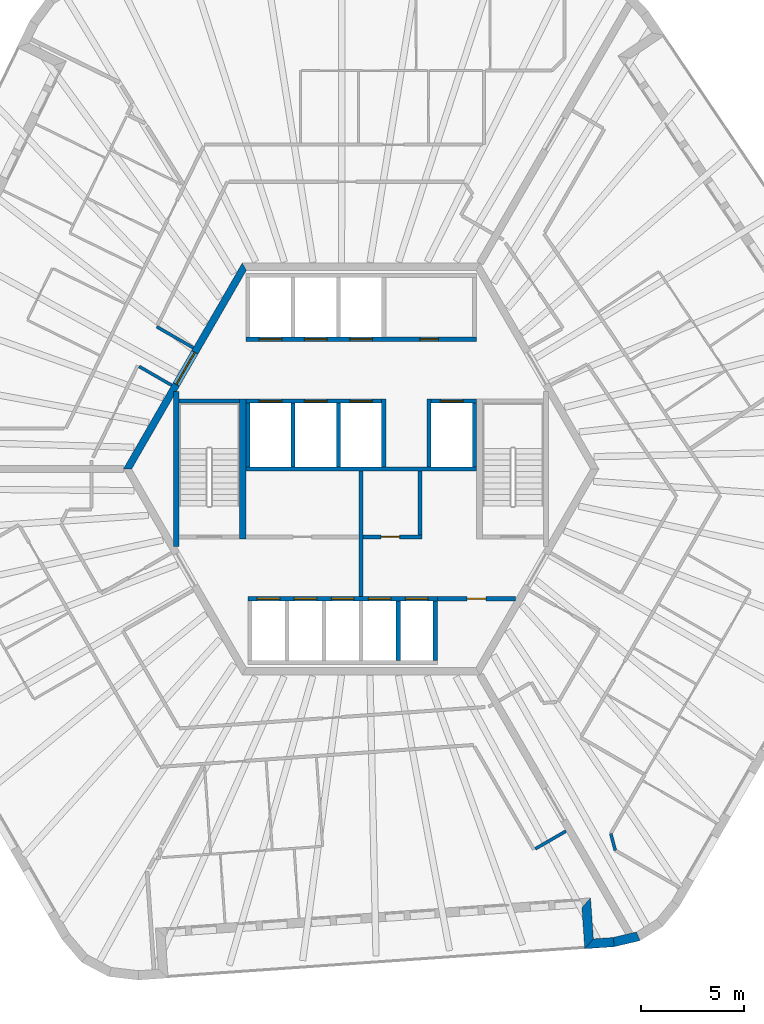
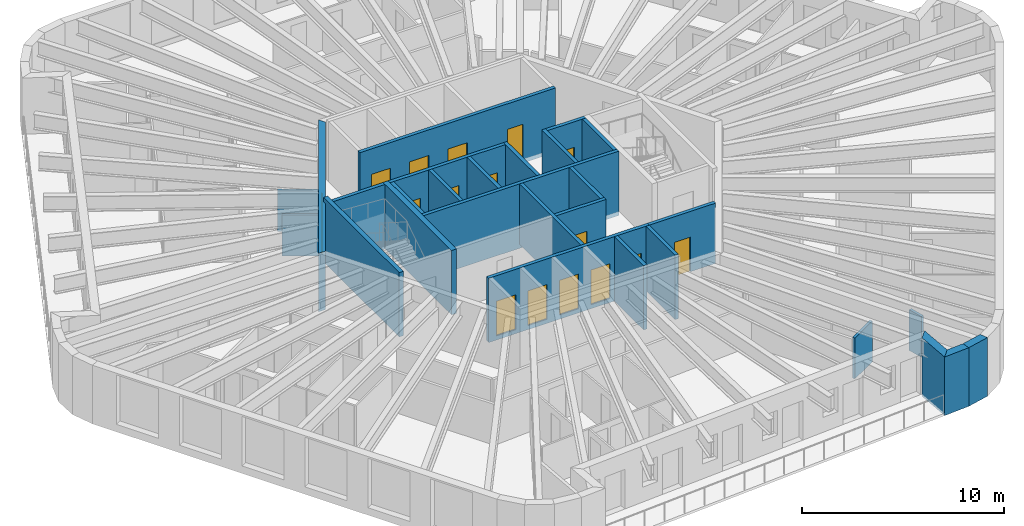
# One storey, part 5 of 11: 28 walls, 16 doors, 16 openings.
"""IFC4 building model written with IfcOpenShell, lengths in metres."""

from ifc_helpers import new_model, si_unit, direction, frame, frame_2d, origin, place, context, subcontext, project, spatial, polyline, rectangle, outline, extrude, material, layer, layer_set, type_object, element, fill, save


model = new_model("IFC4")

# Units and contexts
model_context = context("Model", 3, precision=1e-05, world=origin(), true_north=direction((0.0, 1.0)))
body_context = subcontext(model_context, "Body", "Model", "MODEL_VIEW")
ifc_project = project(units=[si_unit("LENGTHUNIT", "METRE"), si_unit("AREAUNIT", "SQUARE_METRE"), si_unit("VOLUMEUNIT", "CUBIC_METRE"), si_unit("PLANEANGLEUNIT", "RADIAN"), si_unit("MASSUNIT", "GRAM", prefix="KILO")], contexts=[model_context])

# Site, building, storey
site_placement = place(None, origin())
site = spatial("IfcSite", under=ifc_project, at=site_placement, CompositionType="ELEMENT")
building_placement = place(site_placement, origin())
building = spatial("IfcBuilding", under=site, at=building_placement, Name="Tarnside Tower", CompositionType="ELEMENT")
storey_placement = place(building_placement, frame((0.0, 0.0, 372.89990234375)))
storey = spatial("IfcBuildingStorey", under=building, at=storey_placement, Name="L90", CompositionType="ELEMENT", Elevation=372.89990234375)

# Wall, opening, door
ifc_material_1 = material(Name="Concrete C40/50", Category="concrete")
ifc_layer_1 = layer(ifc_material_1, 0.199951171875)
ifc_layer_set_1 = layer_set([ifc_layer_1], Name="Core room partition 200 C40/50")
wall_type_1 = type_object("IfcWallType", Name="Core room partition 200 C40/50", PredefinedType="PARTITIONING", material=ifc_layer_set_1)
wall_1_placement = place(storey_placement, frame((0.10009765625, -3.300048828125, 0.0), z_axis=(0.0, 0.0, 1.0), x_axis=(1.0, 0.0, 0.0)))
wall_1 = element("IfcWall", 1, at=wall_1_placement, inside=storey, type_object=wall_type_1, Name="L90 core partition R3S1", PredefinedType="PARTITIONING", context=body_context, shape_type="SweptSolid", body=[
    extrude(rectangle(XDim=2.849853515625, YDim=0.199951171875, at=frame_2d((1.4248046875, 0.0))), origin(), (0.0, 0.0, 1.0), 3.650146484375),
])
opening_1_placement = place(wall_1_placement, frame((0.875, 0.0, 0.0)))
opening_1 = element("IfcOpeningElement", 2, at=opening_1_placement, cuts=wall_1, Name="Opening CD-room", PredefinedType="OPENING", context=body_context, shape_type="SweptSolid", body=[
    extrude(rectangle(XDim=0.89990234375, YDim=2.10009765625, at=frame_2d((0.449951171875, 1.050048828125))), frame((0.0, 0.10986328125, 0.0), z_axis=(0.0, -1.0, 0.0), x_axis=(1.0, 0.0, 0.0)), (0.0, 0.0, 1.0), 0.219970703125),
])
ifc_material_2 = material(Name="Steel fire door", Category="steel")
door_type_1 = type_object("IfcDoorType", Name="Room door FD60 900x2100", OperationType="NOTDEFINED", PredefinedType="DOOR", material=ifc_material_2)
door_1_placement = place(opening_1_placement, origin())
door_1 = element("IfcDoor", 3, at=door_1_placement, inside=storey, type_object=door_type_1, Name="L90 core room door SR1", OperationType="SINGLE_SWING_LEFT", OverallHeight=2.10009765625, OverallWidth=0.89990234375, PredefinedType="DOOR", context=body_context, shape_type="SweptSolid", body=[
    extrude(rectangle(XDim=0.89990234375, YDim=2.10009765625, at=frame_2d((0.449951171875, 1.050048828125))), frame((0.0, 0.02490234375, 0.0), z_axis=(0.0, -1.0, 0.0), x_axis=(1.0, 0.0, 0.0)), (0.0, 0.0, 1.0), 0.050048828125),
])
fill(opening_1, door_1)

# Walls
wall_2_placement = place(storey_placement, frame((2.85009765625, -3.199951171875, 0.0), z_axis=(0.0, 0.0, 1.0), x_axis=(0.0, 1.0, 0.0)))
element("IfcWall", 4, at=wall_2_placement, inside=storey, type_object=wall_type_1, Name="L90 core partition R3P1b", PredefinedType="PARTITIONING", context=body_context, shape_type="SweptSolid", body=[
    extrude(rectangle(XDim=3.099853515625, YDim=0.199951171875, at=frame_2d((1.5498046875, 0.0))), origin(), (0.0, 0.0, 1.0), 3.650146484375),
])
wall_3_placement = place(storey_placement, frame((0.0, -6.199951171875, 0.0), z_axis=(0.0, 0.0, 1.0), x_axis=(0.0, 1.0, 0.0)))
element("IfcWall", 5, at=wall_3_placement, inside=storey, type_object=wall_type_1, Name="L90 core partition X0", PredefinedType="PARTITIONING", context=body_context, shape_type="SweptSolid", body=[
    extrude(rectangle(XDim=6.099853515625, YDim=0.199951171875, at=frame_2d((3.0498046875, 0.0))), origin(), (0.0, 0.0, 1.0), 3.650146484375),
])

# Wall, opening, door
wall_4_placement = place(storey_placement, frame((3.699951171875, -6.300048828125, 0.0), z_axis=(0.0, 0.0, 1.0), x_axis=(1.0, 0.0, 0.0)))
wall_4 = element("IfcWall", 6, at=wall_4_placement, inside=storey, type_object=wall_type_1, Name="L90 core partition R4X", PredefinedType="PARTITIONING", context=body_context, shape_type="SweptSolid", body=[
    extrude(rectangle(XDim=3.8056640625, YDim=0.199951171875, at=frame_2d((1.90283203125, 0.0))), origin(), (0.0, 0.0, 1.0), 3.650146484375),
])
opening_2_placement = place(wall_4_placement, frame((1.452880859375, 0.0, 0.0)))
opening_2 = element("IfcOpeningElement", 7, at=opening_2_placement, cuts=wall_4, Name="Opening CD-room", PredefinedType="OPENING", context=body_context, shape_type="SweptSolid", body=[
    extrude(rectangle(XDim=0.89990234375, YDim=2.10009765625, at=frame_2d((0.449951171875, 1.050048828125))), frame((0.0, 0.10986328125, 0.0), z_axis=(0.0, -1.0, 0.0), x_axis=(1.0, 0.0, 0.0)), (0.0, 0.0, 1.0), 0.219970703125),
])
door_2_placement = place(opening_2_placement, origin())
door_2 = element("IfcDoor", 8, at=door_2_placement, inside=storey, type_object=door_type_1, Name="L90 core room door RX", OperationType="SINGLE_SWING_LEFT", OverallHeight=2.10009765625, OverallWidth=0.89990234375, PredefinedType="DOOR", context=body_context, shape_type="SweptSolid", body=[
    extrude(rectangle(XDim=0.89990234375, YDim=2.10009765625, at=frame_2d((0.449951171875, 1.050048828125))), frame((0.0, 0.02490234375, 0.0), z_axis=(0.0, -1.0, 0.0), x_axis=(1.0, 0.0, 0.0)), (0.0, 0.0, 1.0), 0.050048828125),
])
fill(opening_2, door_2)

ifc_material_3 = material(Name="Concrete C50/60", Category="concrete")
ifc_layer_2 = layer(ifc_material_3, 0.35009765625)
ifc_layer_set_2 = layer_set([ifc_layer_2], Name="Core wall Z4 350 C50/60")
wall_type_2 = type_object("IfcWallType", Name="Core wall Z4 350 C50/60", PredefinedType="SHEAR", material=ifc_layer_set_2)
wall_5_placement = place(storey_placement, frame((-5.672607421875, 9.824951171875, -0.14990234375), z_axis=(0.0, 0.0, 1.0), x_axis=(-0.499995046907, -0.866028263435, 0.0)))
wall_5 = element("IfcWall", 9, at=wall_5_placement, inside=storey, type_object=wall_type_2, Name="L90 core wall face 2", PredefinedType="SHEAR", context=body_context, shape_type="SweptSolid", body=[
    extrude(outline(polyline([(-0.10107421875, -0.175048828125), (11.44580078125, -0.175048828125), (11.24365234375, 0.175048828125), (0.10107421875, 0.175048828125), (-0.10107421875, -0.175048828125)])), origin(), (0.0, 0.0, 1.0), 3.550048828125),
])
opening_3_placement = place(wall_5_placement, frame((4.80126953125, 0.0, 0.14990234375)))
opening_3 = element("IfcOpeningElement", 10, at=opening_3_placement, cuts=wall_5, Name="Opening CD-LOB", PredefinedType="OPENING", context=body_context, shape_type="SweptSolid", body=[
    extrude(rectangle(XDim=1.800048828125, YDim=2.39990234375, at=frame_2d((0.89990234375, 1.199951171875))), frame((0.0, 0.18505859375, 0.0), z_axis=(0.0, -1.0, 0.0), x_axis=(1.0, 0.0, 0.0)), (0.0, 0.0, 1.0), 0.3701171875),
])
door_type_2 = type_object("IfcDoorType", Name="Lobby double door FD30S 1800x2400", OperationType="NOTDEFINED", PredefinedType="DOOR", material=ifc_material_2)
door_3_placement = place(opening_3_placement, origin())
door_3 = element("IfcDoor", 11, at=door_3_placement, inside=storey, type_object=door_type_2, Name="L90 core door P1", OperationType="DOUBLE_DOOR_SINGLE_SWING", OverallHeight=2.39990234375, OverallWidth=1.800048828125, PredefinedType="DOOR", context=body_context, shape_type="SweptSolid", body=[
    extrude(rectangle(XDim=1.800048828125, YDim=2.39990234375, at=frame_2d((0.89990234375, 1.199951171875))), frame((0.0, 0.02490234375, 0.0), z_axis=(0.0, -1.0, 0.0), x_axis=(1.0, 0.0, 0.0)), (0.0, 0.0, 1.0), 0.050048828125),
])
fill(opening_3, door_3)

# Walls
ifc_material_4 = material(Name="Gypsum board partition on steel studs", Category="steel")
ifc_layer_3 = layer(ifc_material_4, 0.14990234375)
ifc_layer_set_3 = layer_set([ifc_layer_3], Name="Corridor wall 150 EI 60")
wall_type_3 = type_object("IfcWallType", Name="Corridor wall 150 EI 60", PredefinedType="PARTITIONING", material=ifc_layer_set_3)
wall_6_placement = place(storey_placement, frame((-8.149658203125, 5.88427734375, 0.0), z_axis=(0.0, 0.0, 1.0), x_axis=(-0.866007146345, 0.50003162148, 0.0)))
element("IfcWall", 12, at=wall_6_placement, inside=storey, type_object=wall_type_3, Name="Corridor wall 29018", PredefinedType="PARTITIONING", context=body_context, shape_type="SweptSolid", body=[
    extrude(rectangle(XDim=2.050537109375, YDim=0.14990234375, at=frame_2d((1.025390625, 0.0))), origin(), (0.0, 0.0, 1.0), 2.47021484375),
])
wall_7_placement = place(storey_placement, frame((-10.783203125, 4.97998046875, 0.0), z_axis=(0.0, 0.0, 1.0), x_axis=(0.866007702746, -0.500030657845, 0.0)))
element("IfcWall", 13, at=wall_7_placement, inside=storey, type_object=wall_type_3, Name="Corridor wall 29026", PredefinedType="PARTITIONING", context=body_context, shape_type="SweptSolid", body=[
    extrude(rectangle(XDim=1.82861328125, YDim=0.14990234375, at=frame_2d((0.914306640625, 0.0))), origin(), (0.0, 0.0, 1.0), 2.47021484375),
])
wall_8_placement = place(storey_placement, frame((8.455810546875, -18.44580078125, 0.0), z_axis=(0.0, 0.0, 1.0), x_axis=(0.866013532718, 0.500020560727, 0.0)))
element("IfcWall", 14, at=wall_8_placement, inside=storey, type_object=wall_type_3, Name="Corridor wall 29039", PredefinedType="PARTITIONING", context=body_context, shape_type="SweptSolid", body=[
    extrude(rectangle(XDim=1.72509765625, YDim=0.14990234375, at=frame_2d((0.862548828125, 0.0))), origin(), (0.0, 0.0, 1.0), 2.47021484375),
])
wall_9_placement = place(storey_placement, frame((12.3427734375, -18.5205078125, 0.0), z_axis=(0.0, 0.0, 1.0), x_axis=(-0.258846545656, 0.965918457118, 0.0)))
element("IfcWall", 15, at=wall_9_placement, inside=storey, type_object=wall_type_3, Name="Corridor wall 29057", PredefinedType="PARTITIONING", context=body_context, shape_type="SweptSolid", body=[
    extrude(rectangle(XDim=0.846923828125, YDim=0.14990234375, at=frame_2d((0.42333984375, 0.0))), origin(), (0.0, 0.0, 1.0), 2.47021484375),
])

# Wall, openings, doors
ifc_layer_4 = layer(ifc_material_1, 0.199951171875)
ifc_layer_set_4 = layer_set([ifc_layer_4], Name="Lift shaft wall 200 C40/50")
wall_type_4 = type_object("IfcWallType", Name="Lift shaft wall 200 C40/50", PredefinedType="SHEAR", material=ifc_layer_set_4)
wall_10_placement = place(storey_placement, frame((-5.60009765625, 6.300048828125, -0.25), z_axis=(0.0, 0.0, 1.0), x_axis=(1.0, 0.0, 0.0)))
wall_10 = element("IfcWall", 16, at=wall_10_placement, inside=storey, type_object=wall_type_4, Name="L90 lift shaft front wall R1", PredefinedType="SHEAR", context=body_context, shape_type="SweptSolid", body=[
    extrude(rectangle(XDim=11.2001953125, YDim=0.199951171875, at=frame_2d((5.60009765625, 0.0))), origin(), (0.0, 0.0, 1.0), 3.900146484375),
])
opening_4_placement = place(wall_10_placement, frame((8.449951171875, 0.0, 0.25)))
opening_4 = element("IfcOpeningElement", 17, at=opening_4_placement, cuts=wall_10, Name="Opening CD-room", PredefinedType="OPENING", context=body_context, shape_type="SweptSolid", body=[
    extrude(rectangle(XDim=0.89990234375, YDim=2.10009765625, at=frame_2d((0.449951171875, 1.050048828125))), frame((0.0, 0.10986328125, 0.0), z_axis=(0.0, -1.0, 0.0), x_axis=(1.0, 0.0, 0.0)), (0.0, 0.0, 1.0), 0.219970703125),
])
opening_5_placement = place(wall_10_placement, frame((0.64990234375, 0.0, 0.25)))
opening_5 = element("IfcOpeningElement", 18, at=opening_5_placement, cuts=wall_10, Name="Opening LD", PredefinedType="OPENING", context=body_context, shape_type="SweptSolid", body=[
    extrude(rectangle(XDim=1.10009765625, YDim=2.10009765625, at=frame_2d((0.550048828125, 1.050048828125))), frame((0.0, 0.10986328125, 0.0), z_axis=(0.0, -1.0, 0.0), x_axis=(1.0, 0.0, 0.0)), (0.0, 0.0, 1.0), 0.219970703125),
])
opening_6_placement = place(wall_10_placement, frame((2.85009765625, 0.0, 0.25)))
opening_6 = element("IfcOpeningElement", 19, at=opening_6_placement, cuts=wall_10, Name="Opening LD", PredefinedType="OPENING", context=body_context, shape_type="SweptSolid", body=[
    extrude(rectangle(XDim=1.10009765625, YDim=2.10009765625, at=frame_2d((0.550048828125, 1.050048828125))), frame((0.0, 0.10986328125, 0.0), z_axis=(0.0, -1.0, 0.0), x_axis=(1.0, 0.0, 0.0)), (0.0, 0.0, 1.0), 0.219970703125),
])
opening_7_placement = place(wall_10_placement, frame((5.050048828125, 0.0, 0.25)))
opening_7 = element("IfcOpeningElement", 20, at=opening_7_placement, cuts=wall_10, Name="Opening LD", PredefinedType="OPENING", context=body_context, shape_type="SweptSolid", body=[
    extrude(rectangle(XDim=1.10009765625, YDim=2.10009765625, at=frame_2d((0.550048828125, 1.050048828125))), frame((0.0, 0.10986328125, 0.0), z_axis=(0.0, -1.0, 0.0), x_axis=(1.0, 0.0, 0.0)), (0.0, 0.0, 1.0), 0.219970703125),
])
ifc_material_5 = material(Name="Stainless steel", Category="steel")
door_type_3 = type_object("IfcDoorType", Name="Lift landing door 1100x2100", OperationType="NOTDEFINED", PredefinedType="DOOR", material=ifc_material_5)
door_4_placement = place(opening_5_placement, origin())
door_4 = element("IfcDoor", 21, at=door_4_placement, inside=storey, type_object=door_type_3, Name="High-rise lift 1 landing door L90", OperationType="SLIDING_TO_LEFT", OverallHeight=2.10009765625, OverallWidth=1.10009765625, PredefinedType="DOOR", context=body_context, shape_type="SweptSolid", body=[
    extrude(rectangle(XDim=1.10009765625, YDim=2.10009765625, at=frame_2d((0.550048828125, 1.050048828125))), frame((0.0, 0.02490234375, 0.0), z_axis=(0.0, -1.0, 0.0), x_axis=(1.0, 0.0, 0.0)), (0.0, 0.0, 1.0), 0.050048828125),
])
fill(opening_5, door_4)
door_5_placement = place(opening_6_placement, origin())
door_5 = element("IfcDoor", 22, at=door_5_placement, inside=storey, type_object=door_type_3, Name="High-rise lift 2 landing door L90", OperationType="SLIDING_TO_LEFT", OverallHeight=2.10009765625, OverallWidth=1.10009765625, PredefinedType="DOOR", context=body_context, shape_type="SweptSolid", body=[
    extrude(rectangle(XDim=1.10009765625, YDim=2.10009765625, at=frame_2d((0.550048828125, 1.050048828125))), frame((0.0, 0.02490234375, 0.0), z_axis=(0.0, -1.0, 0.0), x_axis=(1.0, 0.0, 0.0)), (0.0, 0.0, 1.0), 0.050048828125),
])
fill(opening_6, door_5)
door_6_placement = place(opening_7_placement, origin())
door_6 = element("IfcDoor", 23, at=door_6_placement, inside=storey, type_object=door_type_3, Name="High-rise lift 3 landing door L90", OperationType="SLIDING_TO_LEFT", OverallHeight=2.10009765625, OverallWidth=1.10009765625, PredefinedType="DOOR", context=body_context, shape_type="SweptSolid", body=[
    extrude(rectangle(XDim=1.10009765625, YDim=2.10009765625, at=frame_2d((0.550048828125, 1.050048828125))), frame((0.0, 0.02490234375, 0.0), z_axis=(0.0, -1.0, 0.0), x_axis=(1.0, 0.0, 0.0)), (0.0, 0.0, 1.0), 0.050048828125),
])
fill(opening_7, door_6)
door_7_placement = place(opening_4_placement, origin())
door_7 = element("IfcDoor", 24, at=door_7_placement, inside=storey, type_object=door_type_1, Name="L90 core room door FC1", OperationType="SINGLE_SWING_LEFT", OverallHeight=2.10009765625, OverallWidth=0.89990234375, PredefinedType="DOOR", context=body_context, shape_type="SweptSolid", body=[
    extrude(rectangle(XDim=0.89990234375, YDim=2.10009765625, at=frame_2d((0.449951171875, 1.050048828125))), frame((0.0, 0.02490234375, 0.0), z_axis=(0.0, -1.0, 0.0), x_axis=(1.0, 0.0, 0.0)), (0.0, 0.0, 1.0), 0.050048828125),
])
fill(opening_4, door_7)

wall_11_placement = place(storey_placement, frame((-5.60009765625, 3.300048828125, -0.25), z_axis=(0.0, 0.0, 1.0), x_axis=(1.0, 0.0, 0.0)))
wall_11 = element("IfcWall", 25, at=wall_11_placement, inside=storey, type_object=wall_type_4, Name="L90 lift shaft front wall R2", PredefinedType="SHEAR", context=body_context, shape_type="SweptSolid", body=[
    extrude(rectangle(XDim=6.60009765625, YDim=0.199951171875, at=frame_2d((3.300048828125, 0.0))), origin(), (0.0, 0.0, 1.0), 3.900146484375),
])
opening_8_placement = place(wall_11_placement, frame((0.64990234375, 0.0, 0.25)))
opening_8 = element("IfcOpeningElement", 26, at=opening_8_placement, cuts=wall_11, Name="Opening LD", PredefinedType="OPENING", context=body_context, shape_type="SweptSolid", body=[
    extrude(rectangle(XDim=1.10009765625, YDim=2.10009765625, at=frame_2d((0.550048828125, 1.050048828125))), frame((0.0, 0.10986328125, 0.0), z_axis=(0.0, -1.0, 0.0), x_axis=(1.0, 0.0, 0.0)), (0.0, 0.0, 1.0), 0.219970703125),
])
opening_9_placement = place(wall_11_placement, frame((2.85009765625, 0.0, 0.25)))
opening_9 = element("IfcOpeningElement", 27, at=opening_9_placement, cuts=wall_11, Name="Opening LD", PredefinedType="OPENING", context=body_context, shape_type="SweptSolid", body=[
    extrude(rectangle(XDim=1.10009765625, YDim=2.10009765625, at=frame_2d((0.550048828125, 1.050048828125))), frame((0.0, 0.10986328125, 0.0), z_axis=(0.0, -1.0, 0.0), x_axis=(1.0, 0.0, 0.0)), (0.0, 0.0, 1.0), 0.219970703125),
])
opening_10_placement = place(wall_11_placement, frame((5.050048828125, 0.0, 0.25)))
opening_10 = element("IfcOpeningElement", 28, at=opening_10_placement, cuts=wall_11, Name="Opening LD", PredefinedType="OPENING", context=body_context, shape_type="SweptSolid", body=[
    extrude(rectangle(XDim=1.10009765625, YDim=2.10009765625, at=frame_2d((0.550048828125, 1.050048828125))), frame((0.0, 0.10986328125, 0.0), z_axis=(0.0, -1.0, 0.0), x_axis=(1.0, 0.0, 0.0)), (0.0, 0.0, 1.0), 0.219970703125),
])
door_8_placement = place(opening_8_placement, origin())
door_8 = element("IfcDoor", 29, at=door_8_placement, inside=storey, type_object=door_type_3, Name="High-rise lift 4 landing door L90", OperationType="SLIDING_TO_LEFT", OverallHeight=2.10009765625, OverallWidth=1.10009765625, PredefinedType="DOOR", context=body_context, shape_type="SweptSolid", body=[
    extrude(rectangle(XDim=1.10009765625, YDim=2.10009765625, at=frame_2d((0.550048828125, 1.050048828125))), frame((0.0, 0.02490234375, 0.0), z_axis=(0.0, -1.0, 0.0), x_axis=(1.0, 0.0, 0.0)), (0.0, 0.0, 1.0), 0.050048828125),
])
fill(opening_8, door_8)
door_9_placement = place(opening_9_placement, origin())
door_9 = element("IfcDoor", 30, at=door_9_placement, inside=storey, type_object=door_type_3, Name="High-rise lift 5 landing door L90", OperationType="SLIDING_TO_LEFT", OverallHeight=2.10009765625, OverallWidth=1.10009765625, PredefinedType="DOOR", context=body_context, shape_type="SweptSolid", body=[
    extrude(rectangle(XDim=1.10009765625, YDim=2.10009765625, at=frame_2d((0.550048828125, 1.050048828125))), frame((0.0, 0.02490234375, 0.0), z_axis=(0.0, -1.0, 0.0), x_axis=(1.0, 0.0, 0.0)), (0.0, 0.0, 1.0), 0.050048828125),
])
fill(opening_9, door_9)
door_10_placement = place(opening_10_placement, origin())
door_10 = element("IfcDoor", 31, at=door_10_placement, inside=storey, type_object=door_type_3, Name="High-rise lift 6 landing door L90", OperationType="SLIDING_TO_LEFT", OverallHeight=2.10009765625, OverallWidth=1.10009765625, PredefinedType="DOOR", context=body_context, shape_type="SweptSolid", body=[
    extrude(rectangle(XDim=1.10009765625, YDim=2.10009765625, at=frame_2d((0.550048828125, 1.050048828125))), frame((0.0, 0.02490234375, 0.0), z_axis=(0.0, -1.0, 0.0), x_axis=(1.0, 0.0, 0.0)), (0.0, 0.0, 1.0), 0.050048828125),
])
fill(opening_10, door_10)

# Wall, opening, door
wall_12_placement = place(storey_placement, frame((3.39990234375, 3.300048828125, -0.25), z_axis=(0.0, 0.0, 1.0), x_axis=(1.0, 0.0, 0.0)))
wall_12 = element("IfcWall", 32, at=wall_12_placement, inside=storey, type_object=wall_type_4, Name="L90 lift shaft front wall R2 2", PredefinedType="SHEAR", context=body_context, shape_type="SweptSolid", body=[
    extrude(rectangle(XDim=2.2001953125, YDim=0.199951171875, at=frame_2d((1.10009765625, 0.0))), origin(), (0.0, 0.0, 1.0), 3.900146484375),
])
opening_11_placement = place(wall_12_placement, frame((0.449951171875, 0.0, 0.25)))
opening_11 = element("IfcOpeningElement", 33, at=opening_11_placement, cuts=wall_12, Name="Opening LD", PredefinedType="OPENING", context=body_context, shape_type="SweptSolid", body=[
    extrude(rectangle(XDim=1.10009765625, YDim=2.10009765625, at=frame_2d((0.550048828125, 1.050048828125))), frame((0.0, 0.10986328125, 0.0), z_axis=(0.0, -1.0, 0.0), x_axis=(1.0, 0.0, 0.0)), (0.0, 0.0, 1.0), 0.219970703125),
])
door_11_placement = place(opening_11_placement, origin())
door_11 = element("IfcDoor", 34, at=door_11_placement, inside=storey, type_object=door_type_3, Name="Express sky-lobby shuttle 2 landing door L90", OperationType="SLIDING_TO_LEFT", OverallHeight=2.10009765625, OverallWidth=1.10009765625, PredefinedType="DOOR", context=body_context, shape_type="SweptSolid", body=[
    extrude(rectangle(XDim=1.10009765625, YDim=2.10009765625, at=frame_2d((0.550048828125, 1.050048828125))), frame((0.0, 0.02490234375, 0.0), z_axis=(0.0, -1.0, 0.0), x_axis=(1.0, 0.0, 0.0)), (0.0, 0.0, 1.0), 0.050048828125),
])
fill(opening_11, door_11)

# Walls
wall_13_placement = place(storey_placement, frame((-5.60009765625, 0.0, -0.25), z_axis=(0.0, 0.0, 1.0), x_axis=(1.0, 0.0, 0.0)))
element("IfcWall", 35, at=wall_13_placement, inside=storey, type_object=wall_type_4, Name="L90 lift shaft back wall R2", PredefinedType="SHEAR", context=body_context, shape_type="SweptSolid", body=[
    extrude(rectangle(XDim=11.2001953125, YDim=0.199951171875, at=frame_2d((5.60009765625, 0.0))), origin(), (0.0, 0.0, 1.0), 3.900146484375),
])
for number, where, z_axis, x_axis, name in (
    (36, (-5.5, 0.10009765625, -0.25), (0.0, 0.0, 1.0), (0.0, 1.0, 0.0), "L90 lift shaft partition R21"),
    (37, (-3.300048828125, 0.10009765625, -0.25), (0.0, 0.0, 1.0), (0.0, 1.0, 0.0), "L90 lift shaft partition R22"),
    (38, (-1.10009765625, 0.10009765625, -0.25), (0.0, 0.0, 1.0), (0.0, 1.0, 0.0), "L90 lift shaft partition R23"),
):
    element("IfcWall", number, at=place(storey_placement, frame(where, z_axis=z_axis, x_axis=x_axis)), inside=storey, type_object=wall_type_4, Name=name, PredefinedType="SHEAR", context=body_context, shape_type="SweptSolid", body=[
        extrude(rectangle(XDim=3.099853515625, YDim=0.199951171875, at=frame_2d((1.5498046875, 0.0))), origin(), (0.0, 0.0, 1.0), 3.900146484375),
    ])
for number, where, z_axis, x_axis, name in (
    (39, (1.10009765625, 0.10009765625, -0.25), (0.0, 0.0, 1.0), (0.0, 1.0, 0.0), "L90 lift shaft partition R24"),
    (40, (3.300048828125, 0.10009765625, -0.25), (0.0, 0.0, 1.0), (0.0, 1.0, 0.0), "L90 lift shaft partition R25"),
):
    element("IfcWall", number, at=place(storey_placement, frame(where, z_axis=z_axis, x_axis=x_axis)), inside=storey, type_object=wall_type_4, Name=name, PredefinedType="SHEAR", context=body_context, shape_type="SweptSolid", body=[
        extrude(rectangle(XDim=3.2998046875, YDim=0.199951171875, at=frame_2d((1.64990234375, 0.0))), origin(), (0.0, 0.0, 1.0), 3.900146484375),
    ])
wall_14_placement = place(storey_placement, frame((5.5, 0.10009765625, -0.25), z_axis=(0.0, 0.0, 1.0), x_axis=(0.0, 1.0, 0.0)))
element("IfcWall", 41, at=wall_14_placement, inside=storey, type_object=wall_type_4, Name="L90 lift shaft partition R26", PredefinedType="SHEAR", context=body_context, shape_type="SweptSolid", body=[
    extrude(rectangle(XDim=3.099853515625, YDim=0.199951171875, at=frame_2d((1.5498046875, 0.0))), origin(), (0.0, 0.0, 1.0), 3.900146484375),
])

# Wall, openings, doors
wall_15_placement = place(storey_placement, frame((-5.5, -6.300048828125, -0.25), z_axis=(0.0, 0.0, 1.0), x_axis=(1.0, 0.0, 0.0)))
wall_15 = element("IfcWall", 42, at=wall_15_placement, inside=storey, type_object=wall_type_4, Name="L90 lift shaft front wall R4", PredefinedType="SHEAR", context=body_context, shape_type="SweptSolid", body=[
    extrude(rectangle(XDim=9.199951171875, YDim=0.199951171875, at=frame_2d((4.60009765625, 0.0))), origin(), (0.0, 0.0, 1.0), 3.900146484375),
])
opening_12_placement = place(wall_15_placement, frame((0.449951171875, 0.0, 0.25)))
opening_12 = element("IfcOpeningElement", 43, at=opening_12_placement, cuts=wall_15, Name="Opening LDF", PredefinedType="OPENING", context=body_context, shape_type="SweptSolid", body=[
    extrude(rectangle(XDim=1.10009765625, YDim=2.10009765625, at=frame_2d((0.550048828125, 1.050048828125))), frame((0.0, 0.10986328125, 0.0), z_axis=(0.0, -1.0, 0.0), x_axis=(1.0, 0.0, 0.0)), (0.0, 0.0, 1.0), 0.219970703125),
])
opening_13_placement = place(wall_15_placement, frame((2.25, 0.0, 0.25)))
opening_13 = element("IfcOpeningElement", 44, at=opening_13_placement, cuts=wall_15, Name="Opening LDF", PredefinedType="OPENING", context=body_context, shape_type="SweptSolid", body=[
    extrude(rectangle(XDim=1.10009765625, YDim=2.10009765625, at=frame_2d((0.550048828125, 1.050048828125))), frame((0.0, 0.10986328125, 0.0), z_axis=(0.0, -1.0, 0.0), x_axis=(1.0, 0.0, 0.0)), (0.0, 0.0, 1.0), 0.219970703125),
])
opening_14_placement = place(wall_15_placement, frame((4.050048828125, 0.0, 0.25)))
opening_14 = element("IfcOpeningElement", 45, at=opening_14_placement, cuts=wall_15, Name="Opening LDF", PredefinedType="OPENING", context=body_context, shape_type="SweptSolid", body=[
    extrude(rectangle(XDim=1.10009765625, YDim=2.10009765625, at=frame_2d((0.550048828125, 1.050048828125))), frame((0.0, 0.10986328125, 0.0), z_axis=(0.0, -1.0, 0.0), x_axis=(1.0, 0.0, 0.0)), (0.0, 0.0, 1.0), 0.219970703125),
])
opening_15_placement = place(wall_15_placement, frame((5.85009765625, 0.0, 0.25)))
opening_15 = element("IfcOpeningElement", 46, at=opening_15_placement, cuts=wall_15, Name="Opening LDF", PredefinedType="OPENING", context=body_context, shape_type="SweptSolid", body=[
    extrude(rectangle(XDim=1.10009765625, YDim=2.10009765625, at=frame_2d((0.550048828125, 1.050048828125))), frame((0.0, 0.10986328125, 0.0), z_axis=(0.0, -1.0, 0.0), x_axis=(1.0, 0.0, 0.0)), (0.0, 0.0, 1.0), 0.219970703125),
])
opening_16_placement = place(wall_15_placement, frame((7.64990234375, 0.0, 0.25)))
opening_16 = element("IfcOpeningElement", 47, at=opening_16_placement, cuts=wall_15, Name="Opening LDF", PredefinedType="OPENING", context=body_context, shape_type="SweptSolid", body=[
    extrude(rectangle(XDim=1.10009765625, YDim=2.10009765625, at=frame_2d((0.550048828125, 1.050048828125))), frame((0.0, 0.10986328125, 0.0), z_axis=(0.0, -1.0, 0.0), x_axis=(1.0, 0.0, 0.0)), (0.0, 0.0, 1.0), 0.219970703125),
])
door_type_4 = type_object("IfcDoorType", Name="Lift landing door 1100x2100 EI 120", OperationType="NOTDEFINED", PredefinedType="DOOR", material=ifc_material_5)
door_12_placement = place(opening_12_placement, origin())
door_12 = element("IfcDoor", 48, at=door_12_placement, inside=storey, type_object=door_type_4, Name="Firefighting lift 1 landing door L90", OperationType="SLIDING_TO_LEFT", OverallHeight=2.10009765625, OverallWidth=1.10009765625, PredefinedType="DOOR", context=body_context, shape_type="SweptSolid", body=[
    extrude(rectangle(XDim=1.10009765625, YDim=2.10009765625, at=frame_2d((0.550048828125, 1.050048828125))), frame((0.0, 0.02490234375, 0.0), z_axis=(0.0, -1.0, 0.0), x_axis=(1.0, 0.0, 0.0)), (0.0, 0.0, 1.0), 0.050048828125),
])
fill(opening_12, door_12)
door_13_placement = place(opening_13_placement, origin())
door_13 = element("IfcDoor", 49, at=door_13_placement, inside=storey, type_object=door_type_4, Name="Firefighting lift 2 landing door L90", OperationType="SLIDING_TO_LEFT", OverallHeight=2.10009765625, OverallWidth=1.10009765625, PredefinedType="DOOR", context=body_context, shape_type="SweptSolid", body=[
    extrude(rectangle(XDim=1.10009765625, YDim=2.10009765625, at=frame_2d((0.550048828125, 1.050048828125))), frame((0.0, 0.02490234375, 0.0), z_axis=(0.0, -1.0, 0.0), x_axis=(1.0, 0.0, 0.0)), (0.0, 0.0, 1.0), 0.050048828125),
])
fill(opening_13, door_13)
door_14_placement = place(opening_14_placement, origin())
door_14 = element("IfcDoor", 50, at=door_14_placement, inside=storey, type_object=door_type_4, Name="Firefighting lift 3 landing door L90", OperationType="SLIDING_TO_LEFT", OverallHeight=2.10009765625, OverallWidth=1.10009765625, PredefinedType="DOOR", context=body_context, shape_type="SweptSolid", body=[
    extrude(rectangle(XDim=1.10009765625, YDim=2.10009765625, at=frame_2d((0.550048828125, 1.050048828125))), frame((0.0, 0.02490234375, 0.0), z_axis=(0.0, -1.0, 0.0), x_axis=(1.0, 0.0, 0.0)), (0.0, 0.0, 1.0), 0.050048828125),
])
fill(opening_14, door_14)
door_15_placement = place(opening_15_placement, origin())
door_15 = element("IfcDoor", 51, at=door_15_placement, inside=storey, type_object=door_type_4, Name="Firefighting lift 4 landing door L90", OperationType="SLIDING_TO_LEFT", OverallHeight=2.10009765625, OverallWidth=1.10009765625, PredefinedType="DOOR", context=body_context, shape_type="SweptSolid", body=[
    extrude(rectangle(XDim=1.10009765625, YDim=2.10009765625, at=frame_2d((0.550048828125, 1.050048828125))), frame((0.0, 0.02490234375, 0.0), z_axis=(0.0, -1.0, 0.0), x_axis=(1.0, 0.0, 0.0)), (0.0, 0.0, 1.0), 0.050048828125),
])
fill(opening_15, door_15)
door_16_placement = place(opening_16_placement, origin())
door_16 = element("IfcDoor", 52, at=door_16_placement, inside=storey, type_object=door_type_4, Name="Firefighting lift 5 landing door L90", OperationType="SLIDING_TO_LEFT", OverallHeight=2.10009765625, OverallWidth=1.10009765625, PredefinedType="DOOR", context=body_context, shape_type="SweptSolid", body=[
    extrude(rectangle(XDim=1.10009765625, YDim=2.10009765625, at=frame_2d((0.550048828125, 1.050048828125))), frame((0.0, 0.02490234375, 0.0), z_axis=(0.0, -1.0, 0.0), x_axis=(1.0, 0.0, 0.0)), (0.0, 0.0, 1.0), 0.050048828125),
])
fill(opening_16, door_16)

# Walls
for number, where, z_axis, x_axis, name in (
    (53, (1.800048828125, -9.300048828125, -0.25), (0.0, 0.0, 1.0), (0.0, 1.0, 0.0), "L90 lift shaft partition R45"),
    (54, (3.60009765625, -9.300048828125, -0.25), (0.0, 0.0, 1.0), (0.0, 1.0, 0.0), "L90 lift shaft partition R46"),
):
    element("IfcWall", number, at=place(storey_placement, frame(where, z_axis=z_axis, x_axis=x_axis)), inside=storey, type_object=wall_type_4, Name=name, PredefinedType="SHEAR", context=body_context, shape_type="SweptSolid", body=[
        extrude(rectangle(XDim=2.900146484375, YDim=0.199951171875, at=frame_2d((1.4501953125, 0.0))), origin(), (0.0, 0.0, 1.0), 3.900146484375),
    ])
wall_16_placement = place(storey_placement, frame((-8.85009765625, 3.300048828125, -0.25), z_axis=(0.0, 0.0, 1.0), x_axis=(1.0, 0.0, 0.0)))
element("IfcWall", 55, at=wall_16_placement, inside=storey, type_object=wall_type_4, Name="L90 stair 2 enclosure cap wall n", PredefinedType="SHEAR", context=body_context, shape_type="SweptSolid", body=[
    extrude(rectangle(XDim=2.9501953125, YDim=0.199951171875, at=frame_2d((1.47509765625, 0.0))), origin(), (0.0, 0.0, 1.0), 3.900146484375),
])
ifc_material_6 = material(Name="Dark zinc cladding")
ifc_layer_5 = layer(ifc_material_6, 0.10205078125)
ifc_material_7 = material(Name="Concrete C60/75 precast", Category="concrete")
ifc_layer_6 = layer(ifc_material_7, 0.248046875)
ifc_material_8 = material(Name="Mineral wool insulation")
ifc_layer_7 = layer(ifc_material_8, 0.10009765625)
ifc_layer_set_5 = layer_set([ifc_layer_5, ifc_layer_6, ifc_layer_7], Name="Loggia wall 450 zinc faced")
wall_type_5 = type_object("IfcWallType", Name="Loggia wall 450 zinc faced", PredefinedType="SOLIDWALL", material=ifc_layer_set_5)
wall_17_placement = place(storey_placement, frame((10.93017578125, -21.06396484375, -0.14990234375), z_axis=(0.0, 0.0, 1.0), x_axis=(0.069702791886, -0.99756780261, 0.0)))
element("IfcWall", 56, at=wall_17_placement, inside=storey, type_object=wall_type_5, Name="Tube wall L90 F4 return 19", PredefinedType="SOLIDWALL", context=body_context, shape_type="SweptSolid", body=[
    extrude(outline(polyline([(0.224853515625, -0.22509765625), (2.22509765625, -0.22509765625), (1.77490234375, 0.22509765625), (-0.224853515625, 0.22509765625), (0.224853515625, -0.22509765625)])), origin(), (0.0, 0.0, 1.0), 3.550048828125),
])
wall_18_placement = place(storey_placement, frame((11.069580078125, -23.05908203125, -0.14990234375), z_axis=(0.0, 0.0, 1.0), x_axis=(0.997562933087, 0.069772448216, 0.0)))
element("IfcWall", 57, at=wall_18_placement, inside=storey, type_object=wall_type_5, Name="Tube wall L90 F4 stub 20", PredefinedType="SOLIDWALL", context=body_context, shape_type="SweptSolid", body=[
    extrude(outline(polyline([(-0.224853515625, -0.22509765625), (1.218505859375, -0.22509765625), (1.181884765625, 0.22509765625), (0.224853515625, 0.22509765625), (-0.224853515625, -0.22509765625)])), origin(), (0.0, 0.0, 1.0), 3.550048828125),
])
ifc_layer_8 = layer(ifc_material_1, 0.25)
ifc_layer_set_6 = layer_set([ifc_layer_8], Name="Stair enclosure wall 250 C40/50")
wall_type_6 = type_object("IfcWallType", Name="Stair enclosure wall 250 C40/50", PredefinedType="SHEAR", material=ifc_layer_set_6)
wall_19_placement = place(storey_placement, frame((-8.97509765625, -3.7548828125, -0.25), z_axis=(0.0, 0.0, 1.0), x_axis=(0.0, 1.0, 0.0)))
element("IfcWall", 58, at=wall_19_placement, inside=storey, type_object=wall_type_6, Name="L90 stair 2 enclosure wall outer", PredefinedType="SHEAR", context=body_context, shape_type="SweptSolid", body=[
    extrude(rectangle(XDim=7.509765625, YDim=0.25, at=frame_2d((3.7548828125, 0.0))), origin(), (0.0, 0.0, 1.0), 3.900146484375),
])
ifc_layer_9 = layer(ifc_material_1, 0.300048828125)
ifc_layer_set_7 = layer_set([ifc_layer_9], Name="Stair enclosure wall 300 C40/50")
wall_type_7 = type_object("IfcWallType", Name="Stair enclosure wall 300 C40/50", PredefinedType="SHEAR", material=ifc_layer_set_7)
wall_20_placement = place(storey_placement, frame((-5.75, -3.39990234375, -0.25), z_axis=(0.0, 0.0, 1.0), x_axis=(0.0, 1.0, 0.0)))
element("IfcWall", 59, at=wall_20_placement, inside=storey, type_object=wall_type_7, Name="L90 stair 2 enclosure wall inner", PredefinedType="SHEAR", context=body_context, shape_type="SweptSolid", body=[
    extrude(rectangle(XDim=6.7998046875, YDim=0.300048828125, at=frame_2d((3.39990234375, 0.0))), origin(), (0.0, 0.0, 1.0), 3.900146484375),
])
ifc_material_9 = material(Name="Facing brick", Category="masonry")
ifc_layer_10 = layer(ifc_material_9, 0.10205078125)
ifc_layer_11 = layer(ifc_material_7, 0.248046875)
ifc_layer_12 = layer(ifc_material_8, 0.10009765625)
ifc_layer_set_8 = layer_set([ifc_layer_10, ifc_layer_11, ifc_layer_12], Name="Tube wall 450 brick faced")
wall_type_8 = type_object("IfcWallType", Name="Tube wall 450 brick faced", PredefinedType="SOLIDWALL", material=ifc_layer_set_8)
wall_21_placement = place(storey_placement, frame((12.266845703125, -22.975341796875, -0.14990234375), z_axis=(0.0, 0.0, 1.0), x_axis=(0.973026131006, 0.230694924913, 0.0)))
element("IfcWall", 60, at=wall_21_placement, inside=storey, type_object=wall_type_8, Name="Tube wall L90 F4 chord 21", PredefinedType="SOLIDWALL", context=body_context, shape_type="SweptSolid", body=[
    extrude(outline(polyline([(-0.018310546875, -0.22509765625), (1.26123046875, -0.22509765625), (1.1875, 0.22509765625), (0.018310546875, 0.22509765625), (-0.018310546875, -0.22509765625)])), origin(), (0.0, 0.0, 1.0), 3.550048828125),
])

save(model, "model.ifc")
